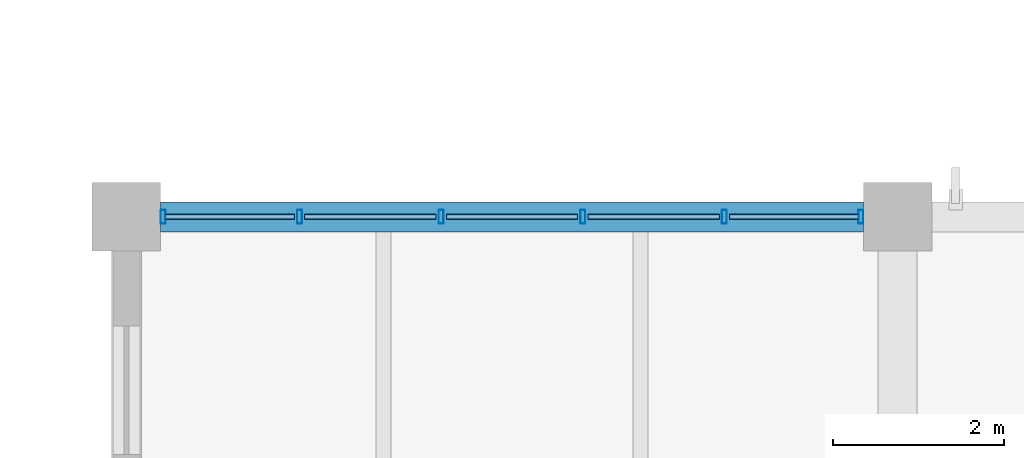
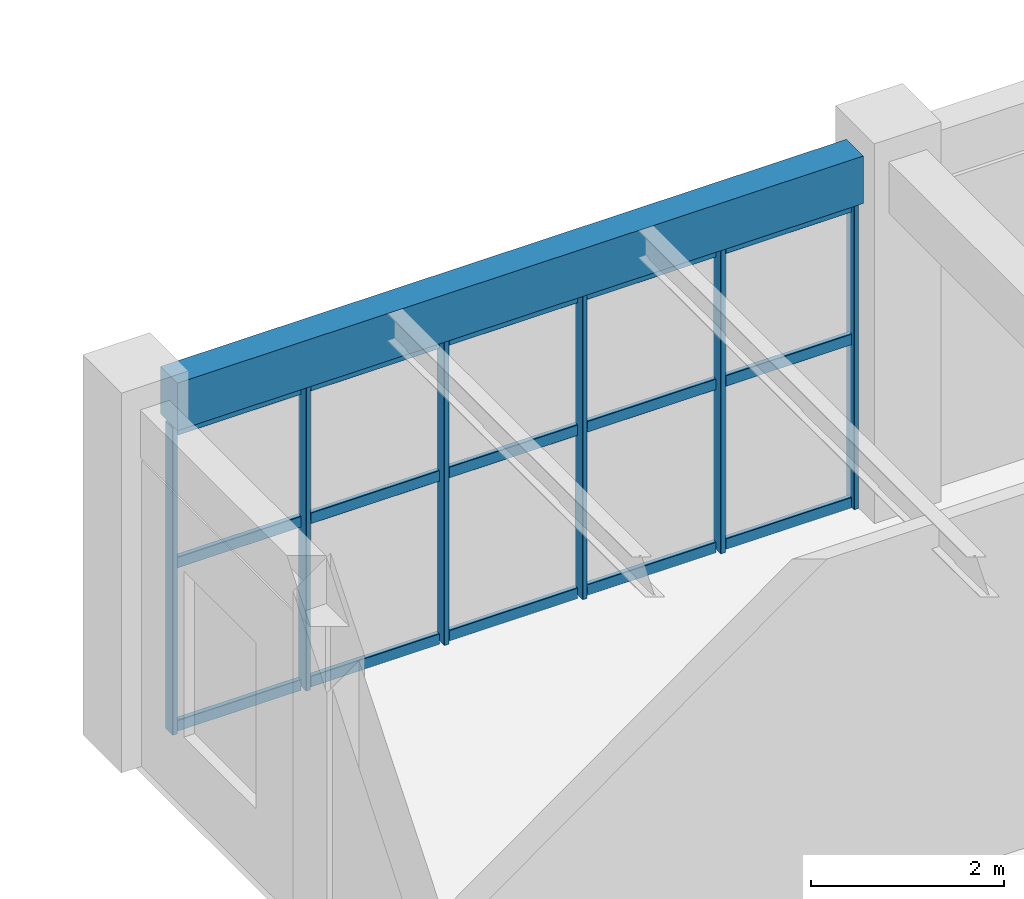
# One storey, part 106 of 178: 21 members, 1 beam, 1 element without a shape of its own.
"""IFC4 building model written with IfcOpenShell, lengths in metres."""

import ifcopenshell
import ifcopenshell.guid

model = None  # the IFC model being written
_history = None  # IfcOwnerHistory: only IFC2X3 demands one
_inside = {}  # id of a spatial element -> (the spatial element, [elements in it])
_under = {}  # id of a project, library or spatial element -> (it, [spatial elements below it])
_declared = {}  # id of a project -> (the project, [libraries it declares])
_typed = {}  # id of a type object -> (the type object, [elements of that type])
_made_of = {}  # id of a material, layer set ... -> (it, [elements and type objects made of it])


def new_model(schema):
    """Start an empty IFC model of exactly this schema.

    Asked for "IFC4X3", IfcOpenShell would pick the latest addendum, in which some entities
    have other attributes; the version numbers below select the first issue.
    IFC2X3 requires an IfcOwnerHistory on every rooted entity: one is made here for all.
    """
    global model, _history
    if schema == "IFC4X3":
        model = ifcopenshell.file(schema_version=(4, 3, 0, 0))
    else:
        model = ifcopenshell.file(schema=schema)
    _inside.clear()
    _under.clear()
    _declared.clear()
    _typed.clear()
    _made_of.clear()
    _history = None
    if model.schema == "IFC2X3":
        org = make("IfcOrganization", Name="unknown")
        user = make(
            "IfcPersonAndOrganization",
            ThePerson=make("IfcPerson", FamilyName="unknown"),
            TheOrganization=org,
        )
        app = make(
            "IfcApplication",
            ApplicationDeveloper=org,
            Version="unknown",
            ApplicationFullName="unknown",
            ApplicationIdentifier="unknown",
        )
        _history = make(
            "IfcOwnerHistory",
            OwningUser=user,
            OwningApplication=app,
            ChangeAction="ADDED",
            CreationDate=0,
        )
    return model


def make(cls, **values):
    """One entity of the class cls with the attributes given. An attribute that is None is left unset."""
    return model.create_entity(
        cls, **{name: value for name, value in values.items() if value is not None}
    )


def rooted(cls, **values):
    """An entity with a GlobalId (a new one), such as an element, a storey or a relation."""
    return make(cls, GlobalId=ifcopenshell.guid.new(), OwnerHistory=_history, **values)


def si_unit(unit_type, name, prefix=None):
    """IfcSIUnit, for example si_unit("LENGTHUNIT", "METRE", prefix="MILLI")."""
    return make("IfcSIUnit", UnitType=unit_type, Prefix=prefix, Name=name)


def derived_unit(unit_type, elements):
    """IfcDerivedUnit: a product of units, each with its exponent."""
    return make(
        "IfcDerivedUnit",
        Elements=[
            make("IfcDerivedUnitElement", Unit=unit, Exponent=power)
            for unit, power in elements
        ],
        UnitType=unit_type,
    )


def assignment(units):
    """IfcUnitAssignment: the units of a project."""
    return None if units is None else make("IfcUnitAssignment", Units=units)


def point(xyz):
    """IfcCartesianPoint."""
    return None if xyz is None else make("IfcCartesianPoint", Coordinates=xyz)


def direction(xyz):
    """IfcDirection."""
    return None if xyz is None else make("IfcDirection", DirectionRatios=xyz)


def frame(location, z_axis=None, x_axis=None):
    """IfcAxis2Placement3D, a coordinate frame: its origin and axes. An axis left out is left unset."""
    return make(
        "IfcAxis2Placement3D",
        Location=point(location),
        Axis=direction(z_axis),
        RefDirection=direction(x_axis),
    )


def frame_2d(location, x_axis=None):
    """IfcAxis2Placement2D, a coordinate frame in the plane: its origin and x axis."""
    return make(
        "IfcAxis2Placement2D", Location=point(location), RefDirection=direction(x_axis)
    )


def origin():
    """The frame at (0, 0, 0) with its axes left unset."""
    return frame((0.0, 0.0, 0.0))


def origin_2d():
    """The frame at (0, 0) in the plane with its x axis left unset."""
    return frame_2d((0.0, 0.0))


def place(relative_to, where):
    """IfcLocalPlacement: puts the frame where relative to a parent placement (None: the world)."""
    return make(
        "IfcLocalPlacement", PlacementRelTo=relative_to, RelativePlacement=where
    )


def context(
    kind, dimensions, precision=None, world=None, true_north=None, identifier=None
):
    """IfcGeometricRepresentationContext, for example the 3D "Model" context."""
    return make(
        "IfcGeometricRepresentationContext",
        ContextIdentifier=identifier,
        ContextType=kind,
        CoordinateSpaceDimension=dimensions,
        Precision=precision,
        WorldCoordinateSystem=world,
        TrueNorth=true_north,
    )


def subcontext(parent, identifier, kind, view, scale=None):
    """IfcGeometricRepresentationSubContext, for example "Body" below "Model"."""
    return make(
        "IfcGeometricRepresentationSubContext",
        ContextIdentifier=identifier,
        ContextType=kind,
        ParentContext=parent,
        TargetScale=scale,
        TargetView=view,
    )


def project(units=None, contexts=None):
    """IfcProject with its units and contexts."""
    return rooted(
        "IfcProject",
        Name="project",
        RepresentationContexts=contexts,
        UnitsInContext=assignment(units),
    )


def spatial(cls, under=None, at=None, **own):
    """A site, building, storey or space (cls), placed at a placement, below another one or the project."""
    s = rooted(cls, ObjectPlacement=at, **own)
    if under is not None:
        _under.setdefault(under.id(), (under, []))[1].append(s)
    return s


def profile(cls, at=None, kind="AREA", **sizes):
    """A parametric profile (cls). Its sizes go by their IFC names, for example OverallWidth=200.0."""
    return make(cls, ProfileType=kind, Position=at, **sizes)


def rectangle(**sizes):
    """IfcRectangleProfileDef."""
    return profile("IfcRectangleProfileDef", **sizes)


def hollow_rectangle(**sizes):
    """IfcRectangleHollowProfileDef."""
    return profile("IfcRectangleHollowProfileDef", **sizes)


def extrude(swept, where, along, depth):
    """IfcExtrudedAreaSolid: the profile swept, set in the frame where, extruded along a direction by depth."""
    return make(
        "IfcExtrudedAreaSolid",
        SweptArea=swept,
        Position=where,
        ExtrudedDirection=direction(along),
        Depth=depth,
    )


def shape(context_of_items, identifier, shape_type, items):
    """IfcShapeRepresentation: the items that make up one representation, for example the "Body"."""
    return make(
        "IfcShapeRepresentation",
        ContextOfItems=context_of_items,
        RepresentationIdentifier=identifier,
        RepresentationType=shape_type,
        Items=items,
    )


def material(Name=None, Category=None):
    """IfcMaterial."""
    return make("IfcMaterial", Name=Name, Category=Category)


def material_profile(
    of_material, cross_section, Name=None, Category=None, Priority=None
):
    """IfcMaterialProfile: a cross section and its material."""
    return make(
        "IfcMaterialProfile",
        Name=Name,
        Material=of_material,
        Profile=cross_section,
        Priority=Priority,
        Category=Category,
    )


def profile_set(profiles, Name=None, composite=None):
    """IfcMaterialProfileSet."""
    return make(
        "IfcMaterialProfileSet",
        Name=Name,
        MaterialProfiles=profiles,
        CompositeProfile=composite,
    )


def made_of(thing, what):
    """Note that an element or type object is made of a material, layer set ...; save() writes the relation."""
    if what is not None:
        _made_of.setdefault(what.id(), (what, []))[1].append(thing)
    return thing


def type_object(cls, material=None, **own):
    """A type object (cls), such as IfcWallType, which elements share."""
    return made_of(rooted(cls, **own), material)


def element(
    cls,
    number,
    at=None,
    inside=None,
    cuts=None,
    type_object=None,
    material=None,
    context=None,
    identifier="Body",
    shape_type=None,
    held_by="IfcProductDefinitionShape",
    body=None,
    shapes=None,
    **own,
):
    """One element of the class cls, such as IfcWall. Its Tag is "e" and its number.

    at: its placement. inside: the storey or other place that contains it. cuts: it is an
    opening in that element (IfcRelVoidsElement). A single representation is given by context,
    identifier, shape_type and body (its items); several are given by shapes. held_by: the class
    of the entity that holds the representations. save() writes the other relations.
    """
    e = rooted(cls, Tag="e%d" % number, ObjectPlacement=at, **own)
    if body is not None:
        shapes = [shape(context, identifier, shape_type, body)]
    if shapes is not None:
        e.Representation = make(held_by, Representations=shapes)
    if inside is not None:
        _inside.setdefault(inside.id(), (inside, []))[1].append(e)
    if cuts is not None:
        rooted(
            "IfcRelVoidsElement", RelatingBuildingElement=cuts, RelatedOpeningElement=e
        )
    if type_object is not None:
        _typed.setdefault(type_object.id(), (type_object, []))[1].append(e)
    return made_of(e, material)


def aggregate(whole, parts):
    """IfcRelAggregates: a whole, such as a stair, and the parts it consists of."""
    return rooted("IfcRelAggregates", RelatingObject=whole, RelatedObjects=parts)


def save(model, path):
    """Write the relations noted so far, then the file.

    IfcRelAggregates (storeys below a building ...), IfcRelContainedInSpatialStructure (elements
    in a storey), IfcRelDefinesByType, IfcRelAssociatesMaterial and IfcRelDeclares: one each for
    every whole, place, type object, material and project.
    """
    for whole, parts in _under.values():
        aggregate(whole, parts)
    for where, things in _inside.values():
        rooted(
            "IfcRelContainedInSpatialStructure",
            RelatedElements=things,
            RelatingStructure=where,
        )
    for kind, things in _typed.values():
        rooted("IfcRelDefinesByType", RelatedObjects=things, RelatingType=kind)
    for what, things in _made_of.values():
        rooted("IfcRelAssociatesMaterial", RelatedObjects=things, RelatingMaterial=what)
    for by, libraries in _declared.values():
        rooted("IfcRelDeclares", RelatingContext=by, RelatedDefinitions=libraries)
    model.write(path)


model = new_model("IFC4")

# Units and contexts
model_context = context("Model", 3, precision=1e-05, world=origin(), true_north=direction((0.0, 1.0)))
body_context = subcontext(model_context, "Body", "Model", "MODEL_VIEW")
ifc_project = project(units=[si_unit("LENGTHUNIT", "METRE"), si_unit("AREAUNIT", "SQUARE_METRE"), si_unit("VOLUMEUNIT", "CUBIC_METRE"), si_unit("PLANEANGLEUNIT", "RADIAN"), si_unit("MASSUNIT", "GRAM", prefix="KILO"), derived_unit("THERMALTRANSMITTANCEUNIT", [(si_unit("MASSUNIT", "GRAM", prefix="KILO"), 1), (si_unit("TIMEUNIT", "SECOND"), -3), (si_unit("THERMODYNAMICTEMPERATUREUNIT", "KELVIN"), -1)])], contexts=[model_context])

# Site, building, storey
site_placement = place(None, origin())
site = spatial("IfcSite", under=ifc_project, at=site_placement, CompositionType="ELEMENT")
building_placement = place(site_placement, origin())
building = spatial("IfcBuilding", under=site, at=building_placement, Name="Zhenchuan Archway Interchange", CompositionType="ELEMENT")
storey_placement = place(building_placement, frame((0.0, 0.0, 5.39990234375)))
storey = spatial("IfcBuildingStorey", under=building, at=storey_placement, Name="L01", CompositionType="ELEMENT", Elevation=5.39990234375)

# Curtain wall, members
ifc_material_1 = material(Name="Anodised Aluminium", Category="aluminium")
curtain_wall_type = type_object("IfcCurtainWallType", Name="CW_UNIT_1", PredefinedType="NOTDEFINED", material=ifc_material_1)
curtain_wall_placement = place(storey_placement, origin())
curtain_wall = element("IfcCurtainWall", 1, at=curtain_wall_placement, inside=storey, type_object=curtain_wall_type, Name="Unitised curtain wall CW:L01:060", PredefinedType="NOTDEFINED")
ifc_material_profile_1 = material_profile(ifc_material_1, hollow_rectangle(XDim=0.06005859375, YDim=0.159912109375, WallThickness=0.00390625, InnerFilletRadius=0.00390625, OuterFilletRadius=0.008056640625, at=origin_2d()), Name="ALU 160x60x4")
ifc_profile_set_1 = profile_set([ifc_material_profile_1], Name="Anodised Aluminium")
member_type_1 = type_object("IfcMemberType", Name="CW_MUL_150", PredefinedType="MULLION", material=ifc_profile_set_1)
member_1_placement = place(storey_placement, frame((99.427978515625, 104.0, 0.0), z_axis=(0.0, 0.0, 1.0), x_axis=(1.0, 0.0, 0.0)))
member_1 = element("IfcMember", 2, at=member_1_placement, type_object=member_type_1, Name="CW:L01:060 mullion 0", PredefinedType="MULLION", context=body_context, shape_type="SweptSolid", body=[
    extrude(hollow_rectangle(XDim=0.06005859375, YDim=0.159912109375, WallThickness=0.00390625, InnerFilletRadius=0.00390625, OuterFilletRadius=0.008056640625, at=origin_2d()), origin(), (0.0, 0.0, 1.0), 3.880126953125),
])
member_2_placement = place(storey_placement, frame((101.020751953125, 104.0, 0.0), z_axis=(0.0, 0.0, 1.0), x_axis=(1.0, 0.0, 0.0)))
member_2 = element("IfcMember", 3, at=member_2_placement, type_object=member_type_1, Name="CW:L01:060 mullion 1", PredefinedType="MULLION", context=body_context, shape_type="SweptSolid", body=[
    extrude(hollow_rectangle(XDim=0.06005859375, YDim=0.159912109375, WallThickness=0.00390625, InnerFilletRadius=0.00390625, OuterFilletRadius=0.008056640625, at=origin_2d()), origin(), (0.0, 0.0, 1.0), 3.880126953125),
])
member_3_placement = place(storey_placement, frame((102.673583984375, 104.0, 0.0), z_axis=(0.0, 0.0, 1.0), x_axis=(1.0, 0.0, 0.0)))
member_3 = element("IfcMember", 4, at=member_3_placement, type_object=member_type_1, Name="CW:L01:060 mullion 2", PredefinedType="MULLION", context=body_context, shape_type="SweptSolid", body=[
    extrude(hollow_rectangle(XDim=0.06005859375, YDim=0.159912109375, WallThickness=0.00390625, InnerFilletRadius=0.00390625, OuterFilletRadius=0.008056640625, at=origin_2d()), origin(), (0.0, 0.0, 1.0), 3.880126953125),
])
member_4_placement = place(storey_placement, frame((104.326416015625, 104.0, 0.0), z_axis=(0.0, 0.0, 1.0), x_axis=(1.0, 0.0, 0.0)))
member_4 = element("IfcMember", 5, at=member_4_placement, type_object=member_type_1, Name="CW:L01:060 mullion 3", PredefinedType="MULLION", context=body_context, shape_type="SweptSolid", body=[
    extrude(hollow_rectangle(XDim=0.06005859375, YDim=0.159912109375, WallThickness=0.00390625, InnerFilletRadius=0.00390625, OuterFilletRadius=0.008056640625, at=origin_2d()), origin(), (0.0, 0.0, 1.0), 3.880126953125),
])
member_5_placement = place(storey_placement, frame((105.979248046875, 104.0, 0.0), z_axis=(0.0, 0.0, 1.0), x_axis=(1.0, 0.0, 0.0)))
member_5 = element("IfcMember", 6, at=member_5_placement, type_object=member_type_1, Name="CW:L01:060 mullion 4", PredefinedType="MULLION", context=body_context, shape_type="SweptSolid", body=[
    extrude(hollow_rectangle(XDim=0.06005859375, YDim=0.159912109375, WallThickness=0.00390625, InnerFilletRadius=0.00390625, OuterFilletRadius=0.008056640625, at=origin_2d()), origin(), (0.0, 0.0, 1.0), 3.880126953125),
])
member_6_placement = place(storey_placement, frame((107.572021484375, 104.0, 0.0), z_axis=(0.0, 0.0, 1.0), x_axis=(1.0, 0.0, 0.0)))
member_6 = element("IfcMember", 7, at=member_6_placement, type_object=member_type_1, Name="CW:L01:060 mullion 5", PredefinedType="MULLION", context=body_context, shape_type="SweptSolid", body=[
    extrude(hollow_rectangle(XDim=0.06005859375, YDim=0.159912109375, WallThickness=0.00390625, InnerFilletRadius=0.00390625, OuterFilletRadius=0.008056640625, at=origin_2d()), origin(), (0.0, 0.0, 1.0), 3.880126953125),
])
ifc_material_profile_2 = material_profile(ifc_material_1, hollow_rectangle(XDim=0.06005859375, YDim=0.139892578125, WallThickness=0.00341796875, InnerFilletRadius=0.00341796875, OuterFilletRadius=0.007080078125, at=origin_2d()), Name="ALU 140x60x3.5")
ifc_profile_set_2 = profile_set([ifc_material_profile_2], Name="Anodised Aluminium")
member_type_2 = type_object("IfcMemberType", Name="CW_TRN_140", PredefinedType="USERDEFINED", material=ifc_profile_set_2)
member_7_placement = place(storey_placement, frame((99.447998046875, 104.0, 0.06005859375), z_axis=(1.0, 0.0, 0.0), x_axis=(0.0, 1.0, 0.0)))
member_7 = element("IfcMember", 8, at=member_7_placement, type_object=member_type_2, Name="CW:L01:060 transom 0-1", ObjectType="TRANSOM", PredefinedType="USERDEFINED", context=body_context, shape_type="SweptSolid", body=[
    extrude(hollow_rectangle(XDim=0.06005859375, YDim=0.139892578125, WallThickness=0.00341796875, InnerFilletRadius=0.00341796875, OuterFilletRadius=0.007080078125, at=origin_2d()), origin(), (0.0, 0.0, 1.0), 1.5126953125),
])
member_8_placement = place(storey_placement, frame((99.447998046875, 104.0, 2.123046875), z_axis=(1.0, 0.0, 0.0), x_axis=(0.0, 1.0, 0.0)))
member_8 = element("IfcMember", 9, at=member_8_placement, type_object=member_type_2, Name="CW:L01:060 transom 0-2", ObjectType="TRANSOM", PredefinedType="USERDEFINED", context=body_context, shape_type="SweptSolid", body=[
    extrude(hollow_rectangle(XDim=0.06005859375, YDim=0.139892578125, WallThickness=0.00341796875, InnerFilletRadius=0.00341796875, OuterFilletRadius=0.007080078125, at=origin_2d()), origin(), (0.0, 0.0, 1.0), 1.5126953125),
])
member_9_placement = place(storey_placement, frame((99.447998046875, 104.0, 3.800048828125), z_axis=(1.0, 0.0, 0.0), x_axis=(0.0, 1.0, 0.0)))
member_9 = element("IfcMember", 10, at=member_9_placement, type_object=member_type_2, Name="CW:L01:060 transom 0-3", ObjectType="TRANSOM", PredefinedType="USERDEFINED", context=body_context, shape_type="SweptSolid", body=[
    extrude(hollow_rectangle(XDim=0.06005859375, YDim=0.139892578125, WallThickness=0.00341796875, InnerFilletRadius=0.00341796875, OuterFilletRadius=0.007080078125, at=origin_2d()), origin(), (0.0, 0.0, 1.0), 1.5126953125),
])
member_10_placement = place(storey_placement, frame((101.080810546875, 104.0, 0.06005859375), z_axis=(1.0, 0.0, 0.0), x_axis=(0.0, 1.0, 0.0)))
member_10 = element("IfcMember", 11, at=member_10_placement, type_object=member_type_2, Name="CW:L01:060 transom 1-1", ObjectType="TRANSOM", PredefinedType="USERDEFINED", context=body_context, shape_type="SweptSolid", body=[
    extrude(hollow_rectangle(XDim=0.06005859375, YDim=0.139892578125, WallThickness=0.00341796875, InnerFilletRadius=0.00341796875, OuterFilletRadius=0.007080078125, at=origin_2d()), origin(), (0.0, 0.0, 1.0), 1.53271484375),
])
member_11_placement = place(storey_placement, frame((101.080810546875, 104.0, 2.123046875), z_axis=(1.0, 0.0, 0.0), x_axis=(0.0, 1.0, 0.0)))
member_11 = element("IfcMember", 12, at=member_11_placement, type_object=member_type_2, Name="CW:L01:060 transom 1-2", ObjectType="TRANSOM", PredefinedType="USERDEFINED", context=body_context, shape_type="SweptSolid", body=[
    extrude(hollow_rectangle(XDim=0.06005859375, YDim=0.139892578125, WallThickness=0.00341796875, InnerFilletRadius=0.00341796875, OuterFilletRadius=0.007080078125, at=origin_2d()), origin(), (0.0, 0.0, 1.0), 1.53271484375),
])
member_12_placement = place(storey_placement, frame((101.080810546875, 104.0, 3.800048828125), z_axis=(1.0, 0.0, 0.0), x_axis=(0.0, 1.0, 0.0)))
member_12 = element("IfcMember", 13, at=member_12_placement, type_object=member_type_2, Name="CW:L01:060 transom 1-3", ObjectType="TRANSOM", PredefinedType="USERDEFINED", context=body_context, shape_type="SweptSolid", body=[
    extrude(hollow_rectangle(XDim=0.06005859375, YDim=0.139892578125, WallThickness=0.00341796875, InnerFilletRadius=0.00341796875, OuterFilletRadius=0.007080078125, at=origin_2d()), origin(), (0.0, 0.0, 1.0), 1.53271484375),
])
member_13_placement = place(storey_placement, frame((102.733642578125, 104.0, 0.06005859375), z_axis=(1.0, 0.0, 0.0), x_axis=(0.0, 1.0, 0.0)))
member_13 = element("IfcMember", 14, at=member_13_placement, type_object=member_type_2, Name="CW:L01:060 transom 2-1", ObjectType="TRANSOM", PredefinedType="USERDEFINED", context=body_context, shape_type="SweptSolid", body=[
    extrude(hollow_rectangle(XDim=0.06005859375, YDim=0.139892578125, WallThickness=0.00341796875, InnerFilletRadius=0.00341796875, OuterFilletRadius=0.007080078125, at=origin_2d()), origin(), (0.0, 0.0, 1.0), 1.53271484375),
])
member_14_placement = place(storey_placement, frame((102.733642578125, 104.0, 2.123046875), z_axis=(1.0, 0.0, 0.0), x_axis=(0.0, 1.0, 0.0)))
member_14 = element("IfcMember", 15, at=member_14_placement, type_object=member_type_2, Name="CW:L01:060 transom 2-2", ObjectType="TRANSOM", PredefinedType="USERDEFINED", context=body_context, shape_type="SweptSolid", body=[
    extrude(hollow_rectangle(XDim=0.06005859375, YDim=0.139892578125, WallThickness=0.00341796875, InnerFilletRadius=0.00341796875, OuterFilletRadius=0.007080078125, at=origin_2d()), origin(), (0.0, 0.0, 1.0), 1.53271484375),
])
member_15_placement = place(storey_placement, frame((102.733642578125, 104.0, 3.800048828125), z_axis=(1.0, 0.0, 0.0), x_axis=(0.0, 1.0, 0.0)))
member_15 = element("IfcMember", 16, at=member_15_placement, type_object=member_type_2, Name="CW:L01:060 transom 2-3", ObjectType="TRANSOM", PredefinedType="USERDEFINED", context=body_context, shape_type="SweptSolid", body=[
    extrude(hollow_rectangle(XDim=0.06005859375, YDim=0.139892578125, WallThickness=0.00341796875, InnerFilletRadius=0.00341796875, OuterFilletRadius=0.007080078125, at=origin_2d()), origin(), (0.0, 0.0, 1.0), 1.53271484375),
])
member_16_placement = place(storey_placement, frame((104.386474609375, 104.0, 0.06005859375), z_axis=(1.0, 0.0, 0.0), x_axis=(0.0, 1.0, 0.0)))
member_16 = element("IfcMember", 17, at=member_16_placement, type_object=member_type_2, Name="CW:L01:060 transom 3-1", ObjectType="TRANSOM", PredefinedType="USERDEFINED", context=body_context, shape_type="SweptSolid", body=[
    extrude(hollow_rectangle(XDim=0.06005859375, YDim=0.139892578125, WallThickness=0.00341796875, InnerFilletRadius=0.00341796875, OuterFilletRadius=0.007080078125, at=origin_2d()), origin(), (0.0, 0.0, 1.0), 1.53271484375),
])
member_17_placement = place(storey_placement, frame((104.386474609375, 104.0, 2.123046875), z_axis=(1.0, 0.0, 0.0), x_axis=(0.0, 1.0, 0.0)))
member_17 = element("IfcMember", 18, at=member_17_placement, type_object=member_type_2, Name="CW:L01:060 transom 3-2", ObjectType="TRANSOM", PredefinedType="USERDEFINED", context=body_context, shape_type="SweptSolid", body=[
    extrude(hollow_rectangle(XDim=0.06005859375, YDim=0.139892578125, WallThickness=0.00341796875, InnerFilletRadius=0.00341796875, OuterFilletRadius=0.007080078125, at=origin_2d()), origin(), (0.0, 0.0, 1.0), 1.53271484375),
])
member_18_placement = place(storey_placement, frame((104.386474609375, 104.0, 3.800048828125), z_axis=(1.0, 0.0, 0.0), x_axis=(0.0, 1.0, 0.0)))
member_18 = element("IfcMember", 19, at=member_18_placement, type_object=member_type_2, Name="CW:L01:060 transom 3-3", ObjectType="TRANSOM", PredefinedType="USERDEFINED", context=body_context, shape_type="SweptSolid", body=[
    extrude(hollow_rectangle(XDim=0.06005859375, YDim=0.139892578125, WallThickness=0.00341796875, InnerFilletRadius=0.00341796875, OuterFilletRadius=0.007080078125, at=origin_2d()), origin(), (0.0, 0.0, 1.0), 1.53271484375),
])
member_19_placement = place(storey_placement, frame((106.039306640625, 104.0, 0.06005859375), z_axis=(1.0, 0.0, 0.0), x_axis=(0.0, 1.0, 0.0)))
member_19 = element("IfcMember", 20, at=member_19_placement, type_object=member_type_2, Name="CW:L01:060 transom 4-1", ObjectType="TRANSOM", PredefinedType="USERDEFINED", context=body_context, shape_type="SweptSolid", body=[
    extrude(hollow_rectangle(XDim=0.06005859375, YDim=0.139892578125, WallThickness=0.00341796875, InnerFilletRadius=0.00341796875, OuterFilletRadius=0.007080078125, at=origin_2d()), origin(), (0.0, 0.0, 1.0), 1.5126953125),
])
member_20_placement = place(storey_placement, frame((106.039306640625, 104.0, 2.123046875), z_axis=(1.0, 0.0, 0.0), x_axis=(0.0, 1.0, 0.0)))
member_20 = element("IfcMember", 21, at=member_20_placement, type_object=member_type_2, Name="CW:L01:060 transom 4-2", ObjectType="TRANSOM", PredefinedType="USERDEFINED", context=body_context, shape_type="SweptSolid", body=[
    extrude(hollow_rectangle(XDim=0.06005859375, YDim=0.139892578125, WallThickness=0.00341796875, InnerFilletRadius=0.00341796875, OuterFilletRadius=0.007080078125, at=origin_2d()), origin(), (0.0, 0.0, 1.0), 1.5126953125),
])
member_21_placement = place(storey_placement, frame((106.039306640625, 104.0, 3.800048828125), z_axis=(1.0, 0.0, 0.0), x_axis=(0.0, 1.0, 0.0)))
member_21 = element("IfcMember", 22, at=member_21_placement, type_object=member_type_2, Name="CW:L01:060 transom 4-3", ObjectType="TRANSOM", PredefinedType="USERDEFINED", context=body_context, shape_type="SweptSolid", body=[
    extrude(hollow_rectangle(XDim=0.06005859375, YDim=0.139892578125, WallThickness=0.00341796875, InnerFilletRadius=0.00341796875, OuterFilletRadius=0.007080078125, at=origin_2d()), origin(), (0.0, 0.0, 1.0), 1.5126953125),
])
aggregate(curtain_wall, [member_1, member_2, member_3, member_4, member_5, member_6, member_7, member_8, member_9, member_10, member_11, member_12, member_13, member_14, member_15, member_16, member_17, member_18, member_19, member_20, member_21])

# Beam
ifc_material_2 = material(Name="Concrete C40", Category="concrete")
ifc_material_profile_3 = material_profile(ifc_material_2, rectangle(XDim=0.35009765625, YDim=0.60009765625, at=origin_2d()), Name="RC 350x600")
ifc_profile_set_3 = profile_set([ifc_material_profile_3], Name="Concrete C40")
beam_type = type_object("IfcBeamType", Name="SP_RC_350x600", PredefinedType="SPANDREL", material=ifc_profile_set_3)
beam_placement = place(storey_placement, frame((99.39990234375, 104.0, 4.210205078125), z_axis=(1.0, 0.0, 0.0), x_axis=(0.0, 1.0, 0.0)))
element("IfcBeam", 23, at=beam_placement, inside=storey, type_object=beam_type, Name="Beam O:12-13 (L01)", PredefinedType="SPANDREL", context=body_context, shape_type="SweptSolid", body=[
    extrude(rectangle(XDim=0.35009765625, YDim=0.60009765625, at=origin_2d()), origin(), (0.0, 0.0, 1.0), 8.2001953125),
])

save(model, "model.ifc")
